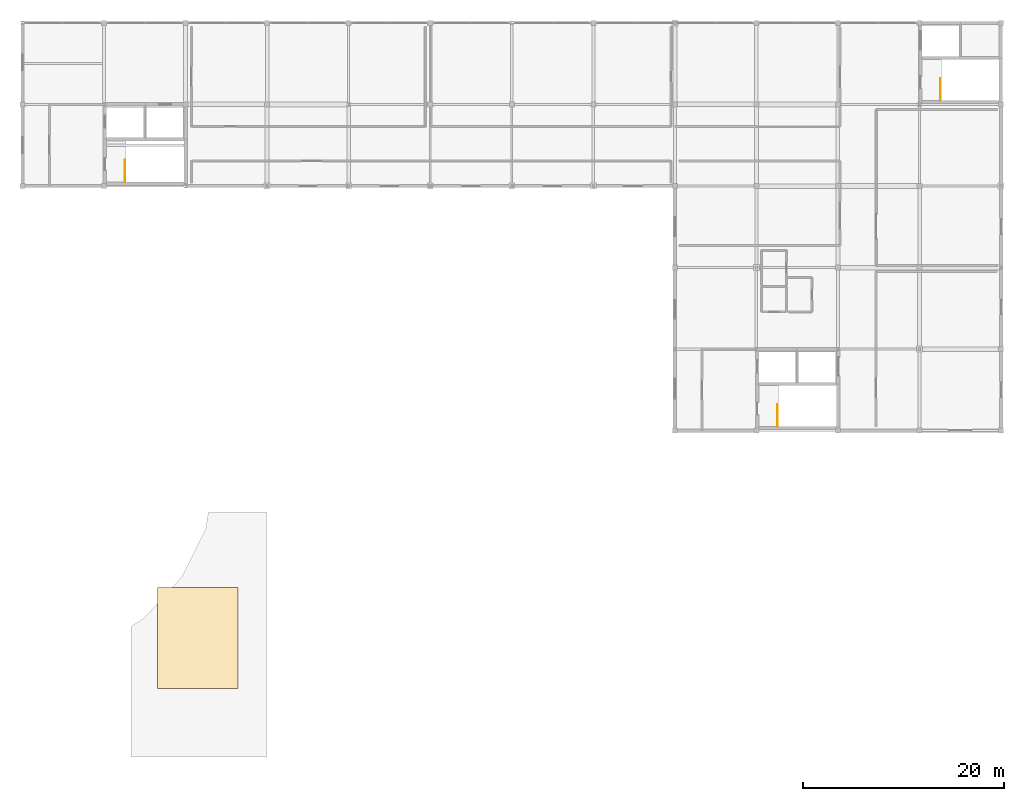
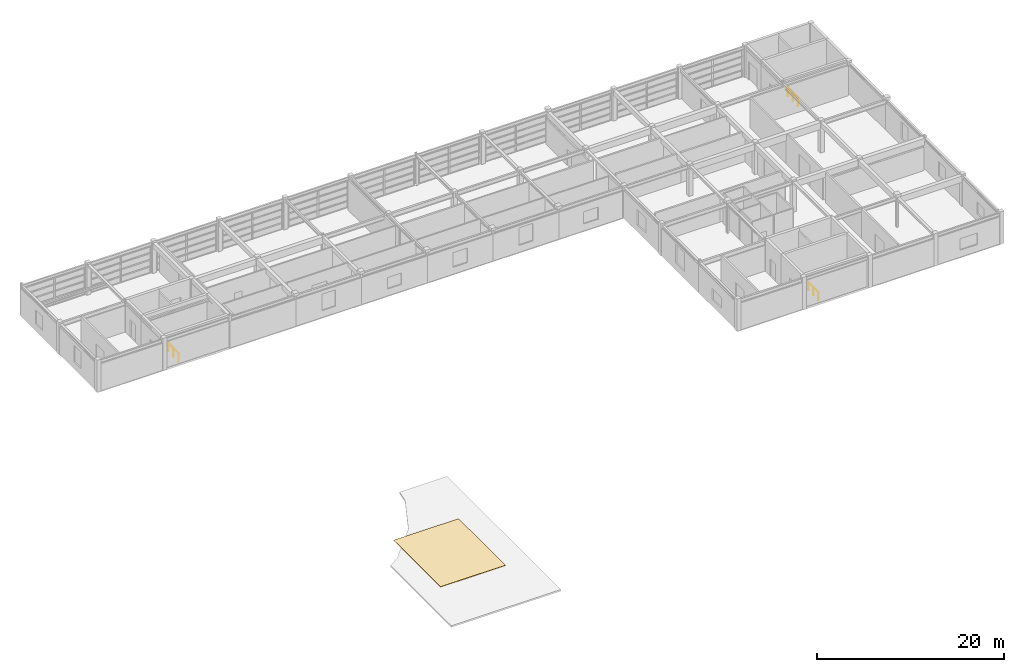
# One storey, part 19 of 19: 3 railings, 1 covering.
"""IFC4 building model written with IfcOpenShell, lengths in metres."""

import ifcopenshell
import ifcopenshell.guid

model = None  # the IFC model being written
_history = None  # IfcOwnerHistory: only IFC2X3 demands one
_inside = {}  # id of a spatial element -> (the spatial element, [elements in it])
_under = {}  # id of a project, library or spatial element -> (it, [spatial elements below it])
_declared = {}  # id of a project -> (the project, [libraries it declares])
_typed = {}  # id of a type object -> (the type object, [elements of that type])
_made_of = {}  # id of a material, layer set ... -> (it, [elements and type objects made of it])


def new_model(schema):
    """Start an empty IFC model of exactly this schema.

    Asked for "IFC4X3", IfcOpenShell would pick the latest addendum, in which some entities
    have other attributes; the version numbers below select the first issue.
    IFC2X3 requires an IfcOwnerHistory on every rooted entity: one is made here for all.
    """
    global model, _history
    if schema == "IFC4X3":
        model = ifcopenshell.file(schema_version=(4, 3, 0, 0))
    else:
        model = ifcopenshell.file(schema=schema)
    _inside.clear()
    _under.clear()
    _declared.clear()
    _typed.clear()
    _made_of.clear()
    _history = None
    if model.schema == "IFC2X3":
        org = make("IfcOrganization", Name="unknown")
        user = make(
            "IfcPersonAndOrganization",
            ThePerson=make("IfcPerson", FamilyName="unknown"),
            TheOrganization=org,
        )
        app = make(
            "IfcApplication",
            ApplicationDeveloper=org,
            Version="unknown",
            ApplicationFullName="unknown",
            ApplicationIdentifier="unknown",
        )
        _history = make(
            "IfcOwnerHistory",
            OwningUser=user,
            OwningApplication=app,
            ChangeAction="ADDED",
            CreationDate=0,
        )
    return model


def make(cls, **values):
    """One entity of the class cls with the attributes given. An attribute that is None is left unset."""
    return model.create_entity(
        cls, **{name: value for name, value in values.items() if value is not None}
    )


def rooted(cls, **values):
    """An entity with a GlobalId (a new one), such as an element, a storey or a relation."""
    return make(cls, GlobalId=ifcopenshell.guid.new(), OwnerHistory=_history, **values)


def si_unit(unit_type, name, prefix=None):
    """IfcSIUnit, for example si_unit("LENGTHUNIT", "METRE", prefix="MILLI")."""
    return make("IfcSIUnit", UnitType=unit_type, Prefix=prefix, Name=name)


def assignment(units):
    """IfcUnitAssignment: the units of a project."""
    return None if units is None else make("IfcUnitAssignment", Units=units)


def point(xyz):
    """IfcCartesianPoint."""
    return None if xyz is None else make("IfcCartesianPoint", Coordinates=xyz)


def direction(xyz):
    """IfcDirection."""
    return None if xyz is None else make("IfcDirection", DirectionRatios=xyz)


def frame(location, z_axis=None, x_axis=None):
    """IfcAxis2Placement3D, a coordinate frame: its origin and axes. An axis left out is left unset."""
    return make(
        "IfcAxis2Placement3D",
        Location=point(location),
        Axis=direction(z_axis),
        RefDirection=direction(x_axis),
    )


def frame_2d(location, x_axis=None):
    """IfcAxis2Placement2D, a coordinate frame in the plane: its origin and x axis."""
    return make(
        "IfcAxis2Placement2D", Location=point(location), RefDirection=direction(x_axis)
    )


def origin():
    """The frame at (0, 0, 0) with its axes left unset."""
    return frame((0.0, 0.0, 0.0))


def origin_2d():
    """The frame at (0, 0) in the plane with its x axis left unset."""
    return frame_2d((0.0, 0.0))


def place(relative_to, where):
    """IfcLocalPlacement: puts the frame where relative to a parent placement (None: the world)."""
    return make(
        "IfcLocalPlacement", PlacementRelTo=relative_to, RelativePlacement=where
    )


def context(
    kind, dimensions, precision=None, world=None, true_north=None, identifier=None
):
    """IfcGeometricRepresentationContext, for example the 3D "Model" context."""
    return make(
        "IfcGeometricRepresentationContext",
        ContextIdentifier=identifier,
        ContextType=kind,
        CoordinateSpaceDimension=dimensions,
        Precision=precision,
        WorldCoordinateSystem=world,
        TrueNorth=true_north,
    )


def subcontext(parent, identifier, kind, view, scale=None):
    """IfcGeometricRepresentationSubContext, for example "Body" below "Model"."""
    return make(
        "IfcGeometricRepresentationSubContext",
        ContextIdentifier=identifier,
        ContextType=kind,
        ParentContext=parent,
        TargetScale=scale,
        TargetView=view,
    )


def project(units=None, contexts=None):
    """IfcProject with its units and contexts."""
    return rooted(
        "IfcProject",
        Name="project",
        RepresentationContexts=contexts,
        UnitsInContext=assignment(units),
    )


def spatial(cls, under=None, at=None, **own):
    """A site, building, storey or space (cls), placed at a placement, below another one or the project."""
    s = rooted(cls, ObjectPlacement=at, **own)
    if under is not None:
        _under.setdefault(under.id(), (under, []))[1].append(s)
    return s


def profile(cls, at=None, kind="AREA", **sizes):
    """A parametric profile (cls). Its sizes go by their IFC names, for example OverallWidth=200.0."""
    return make(cls, ProfileType=kind, Position=at, **sizes)


def rectangle(**sizes):
    """IfcRectangleProfileDef."""
    return profile("IfcRectangleProfileDef", **sizes)


def circle(**sizes):
    """IfcCircleProfileDef."""
    return profile("IfcCircleProfileDef", **sizes)


def extrude(swept, where, along, depth):
    """IfcExtrudedAreaSolid: the profile swept, set in the frame where, extruded along a direction by depth."""
    return make(
        "IfcExtrudedAreaSolid",
        SweptArea=swept,
        Position=where,
        ExtrudedDirection=direction(along),
        Depth=depth,
    )


def shape(context_of_items, identifier, shape_type, items):
    """IfcShapeRepresentation: the items that make up one representation, for example the "Body"."""
    return make(
        "IfcShapeRepresentation",
        ContextOfItems=context_of_items,
        RepresentationIdentifier=identifier,
        RepresentationType=shape_type,
        Items=items,
    )


def material(Name=None, Category=None):
    """IfcMaterial."""
    return make("IfcMaterial", Name=Name, Category=Category)


def layer(
    of_material, thickness, ventilated=None, Name=None, Category=None, Priority=None
):
    """IfcMaterialLayer: one layer of a wall or slab, of a material (None: an air gap)."""
    return make(
        "IfcMaterialLayer",
        Material=of_material,
        LayerThickness=thickness,
        IsVentilated=ventilated,
        Name=Name,
        Category=Category,
        Priority=Priority,
    )


def layer_set(layers, Name=None):
    """IfcMaterialLayerSet."""
    return make("IfcMaterialLayerSet", MaterialLayers=layers, LayerSetName=Name)


def made_of(thing, what):
    """Note that an element or type object is made of a material, layer set ...; save() writes the relation."""
    if what is not None:
        _made_of.setdefault(what.id(), (what, []))[1].append(thing)
    return thing


def type_object(cls, material=None, **own):
    """A type object (cls), such as IfcWallType, which elements share."""
    return made_of(rooted(cls, **own), material)


def element(
    cls,
    number,
    at=None,
    inside=None,
    cuts=None,
    type_object=None,
    material=None,
    context=None,
    identifier="Body",
    shape_type=None,
    held_by="IfcProductDefinitionShape",
    body=None,
    shapes=None,
    **own,
):
    """One element of the class cls, such as IfcWall. Its Tag is "e" and its number.

    at: its placement. inside: the storey or other place that contains it. cuts: it is an
    opening in that element (IfcRelVoidsElement). A single representation is given by context,
    identifier, shape_type and body (its items); several are given by shapes. held_by: the class
    of the entity that holds the representations. save() writes the other relations.
    """
    e = rooted(cls, Tag="e%d" % number, ObjectPlacement=at, **own)
    if body is not None:
        shapes = [shape(context, identifier, shape_type, body)]
    if shapes is not None:
        e.Representation = make(held_by, Representations=shapes)
    if inside is not None:
        _inside.setdefault(inside.id(), (inside, []))[1].append(e)
    if cuts is not None:
        rooted(
            "IfcRelVoidsElement", RelatingBuildingElement=cuts, RelatedOpeningElement=e
        )
    if type_object is not None:
        _typed.setdefault(type_object.id(), (type_object, []))[1].append(e)
    return made_of(e, material)


def aggregate(whole, parts):
    """IfcRelAggregates: a whole, such as a stair, and the parts it consists of."""
    return rooted("IfcRelAggregates", RelatingObject=whole, RelatedObjects=parts)


def save(model, path):
    """Write the relations noted so far, then the file.

    IfcRelAggregates (storeys below a building ...), IfcRelContainedInSpatialStructure (elements
    in a storey), IfcRelDefinesByType, IfcRelAssociatesMaterial and IfcRelDeclares: one each for
    every whole, place, type object, material and project.
    """
    for whole, parts in _under.values():
        aggregate(whole, parts)
    for where, things in _inside.values():
        rooted(
            "IfcRelContainedInSpatialStructure",
            RelatedElements=things,
            RelatingStructure=where,
        )
    for kind, things in _typed.values():
        rooted("IfcRelDefinesByType", RelatedObjects=things, RelatingType=kind)
    for what, things in _made_of.values():
        rooted("IfcRelAssociatesMaterial", RelatedObjects=things, RelatingMaterial=what)
    for by, libraries in _declared.values():
        rooted("IfcRelDeclares", RelatingContext=by, RelatedDefinitions=libraries)
    model.write(path)


model = new_model("IFC4")

# Units and contexts
model_context = context("Model", 3, precision=1e-05, world=origin(), true_north=direction((0.0, 1.0)))
body_context = subcontext(model_context, "Body", "Model", "MODEL_VIEW")
ifc_project = project(units=[si_unit("LENGTHUNIT", "METRE"), si_unit("AREAUNIT", "SQUARE_METRE"), si_unit("VOLUMEUNIT", "CUBIC_METRE"), si_unit("PLANEANGLEUNIT", "RADIAN"), si_unit("MASSUNIT", "GRAM", prefix="KILO")], contexts=[model_context])

# Site, building, storey
site_placement = place(None, origin())
site = spatial("IfcSite", under=ifc_project, at=site_placement, CompositionType="ELEMENT")
building_placement = place(site_placement, origin())
building = spatial("IfcBuilding", under=site, at=building_placement, Name="Parian Resonance Hall", CompositionType="ELEMENT")
storey_placement = place(building_placement, frame((0.0, 0.0, 23.39990234375)))
storey = spatial("IfcBuildingStorey", under=building, at=storey_placement, Name="L05", CompositionType="ELEMENT", Elevation=23.39990234375)

# Covering
ifc_material_1 = material(Name="Rain-damped acoustic standing-seam roofing")
ifc_layer = layer(ifc_material_1, 0.050048828125)
ifc_layer_set = layer_set([ifc_layer], Name="Rain-damped acoustic standing-seam roofing")
covering_type = type_object("IfcCoveringType", Name="COV-ROOF-ACOUSTIC", PredefinedType="ROOFING", material=ifc_layer_set)
covering_placement = place(storey_placement, frame((66.0, 28.0, 0.0), z_axis=(0.0, 0.0, 1.0), x_axis=(1.0, 0.0, 0.0)))
element("IfcCovering", 1, at=covering_placement, inside=storey, type_object=covering_type, Name="Rain-damped acoustic roof membrane L05-06", PredefinedType="ROOFING", context=body_context, shape_type="SweptSolid", body=[
    extrude(rectangle(XDim=8.0, YDim=10.0, at=origin_2d()), origin(), (0.0, 0.0, 1.0), 0.050048828125),
])

# Railings
ifc_material_2 = material(Name="Patinated bronze whiplash metalwork")
railing_type = type_object("IfcRailingType", Name="RAIL-STAIR-GRD-1100", PredefinedType="GUARDRAIL", material=ifc_material_2)
for number, where, name in (
    (2, (58.7900390625, 73.300048828125, 0.0), "L05 ST-01 top well guard 1"),
    (3, (123.590087890625, 49.0, 0.0), "L05 ST-02 top well guard 1"),
):
    element("IfcRailing", number, at=place(storey_placement, frame(where)), inside=storey, type_object=railing_type, Name=name, PredefinedType="GUARDRAIL", context=body_context, shape_type="SweptSolid", body=[
        extrude(circle(Radius=0.02392578125, at=origin_2d()), frame((0.0, 0.0, 1.076171875), z_axis=(0.0, 1.0, 0.0), x_axis=(-1.0, 0.0, 0.0)), (0.0, 0.0, 1.0), 2.199951171875),
        extrude(circle(Radius=0.02099609375, at=origin_2d()), origin(), (0.0, 0.0, 1.0), 1.052001953125),
        extrude(circle(Radius=0.02099609375, at=origin_2d()), frame((0.0, 1.10009765625, 0.0)), (0.0, 0.0, 1.0), 1.052001953125),
        extrude(circle(Radius=0.02099609375, at=origin_2d()), frame((0.0, 2.199951171875, 0.0)), (0.0, 0.0, 1.0), 1.052001953125),
    ])
railing_placement = place(storey_placement, frame((139.77001953125, 81.39990234375, 0.0)))
element("IfcRailing", 4, at=railing_placement, inside=storey, type_object=railing_type, Name="L05 ST-06 top well guard 1", PredefinedType="GUARDRAIL", context=body_context, shape_type="SweptSolid", body=[
    extrude(circle(Radius=0.02392578125, at=origin_2d()), frame((0.0, 0.0, 1.076171875), z_axis=(0.0, 1.0, 0.0), x_axis=(-1.0, 0.0, 0.0)), (0.0, 0.0, 1.0), 2.18017578125),
    extrude(circle(Radius=0.02099609375, at=origin_2d()), origin(), (0.0, 0.0, 1.0), 1.052001953125),
    extrude(circle(Radius=0.02099609375, at=origin_2d()), frame((0.0, 1.090087890625, 0.0)), (0.0, 0.0, 1.0), 1.052001953125),
    extrude(circle(Radius=0.02099609375, at=origin_2d()), frame((0.0, 2.18017578125, 0.0)), (0.0, 0.0, 1.0), 1.052001953125),
])

save(model, "model.ifc")
